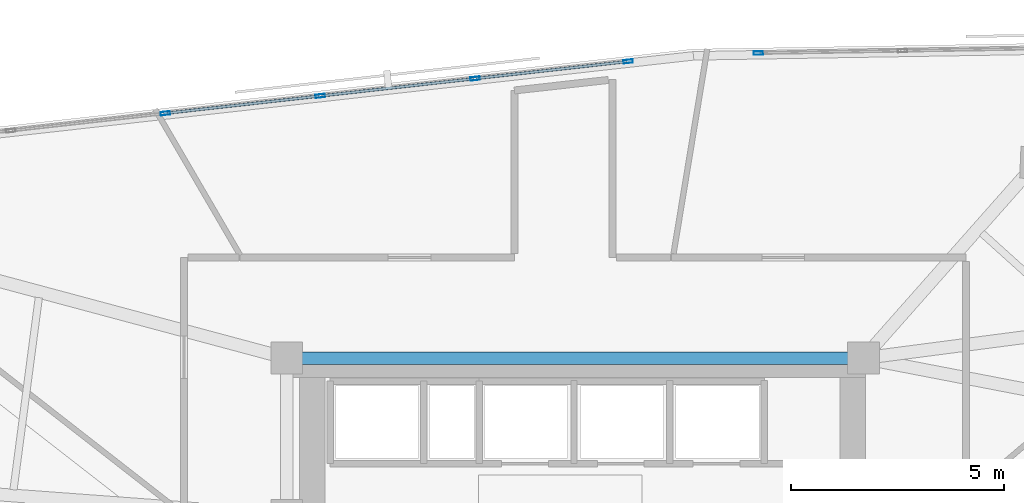
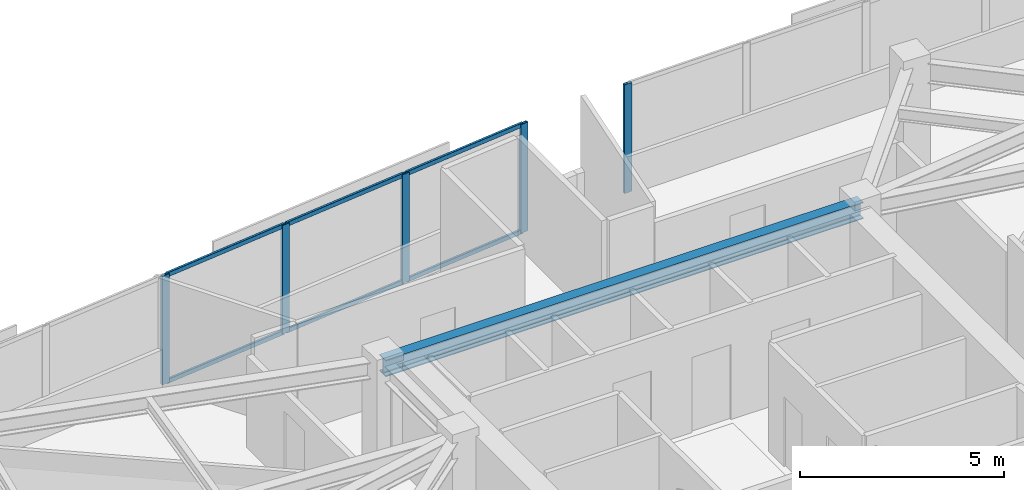
# One storey, part 3 of 13: 11 members, 1 beam, 2 elements without a shape of their own.
"""IFC4 building model written with IfcOpenShell, lengths in metres."""

import ifcopenshell
import ifcopenshell.guid

model = None  # the IFC model being written
_history = None  # IfcOwnerHistory: only IFC2X3 demands one
_inside = {}  # id of a spatial element -> (the spatial element, [elements in it])
_under = {}  # id of a project, library or spatial element -> (it, [spatial elements below it])
_declared = {}  # id of a project -> (the project, [libraries it declares])
_typed = {}  # id of a type object -> (the type object, [elements of that type])
_made_of = {}  # id of a material, layer set ... -> (it, [elements and type objects made of it])


def new_model(schema):
    """Start an empty IFC model of exactly this schema.

    Asked for "IFC4X3", IfcOpenShell would pick the latest addendum, in which some entities
    have other attributes; the version numbers below select the first issue.
    IFC2X3 requires an IfcOwnerHistory on every rooted entity: one is made here for all.
    """
    global model, _history
    if schema == "IFC4X3":
        model = ifcopenshell.file(schema_version=(4, 3, 0, 0))
    else:
        model = ifcopenshell.file(schema=schema)
    _inside.clear()
    _under.clear()
    _declared.clear()
    _typed.clear()
    _made_of.clear()
    _history = None
    if model.schema == "IFC2X3":
        org = make("IfcOrganization", Name="unknown")
        user = make(
            "IfcPersonAndOrganization",
            ThePerson=make("IfcPerson", FamilyName="unknown"),
            TheOrganization=org,
        )
        app = make(
            "IfcApplication",
            ApplicationDeveloper=org,
            Version="unknown",
            ApplicationFullName="unknown",
            ApplicationIdentifier="unknown",
        )
        _history = make(
            "IfcOwnerHistory",
            OwningUser=user,
            OwningApplication=app,
            ChangeAction="ADDED",
            CreationDate=0,
        )
    return model


def make(cls, **values):
    """One entity of the class cls with the attributes given. An attribute that is None is left unset."""
    return model.create_entity(
        cls, **{name: value for name, value in values.items() if value is not None}
    )


def rooted(cls, **values):
    """An entity with a GlobalId (a new one), such as an element, a storey or a relation."""
    return make(cls, GlobalId=ifcopenshell.guid.new(), OwnerHistory=_history, **values)


def si_unit(unit_type, name, prefix=None):
    """IfcSIUnit, for example si_unit("LENGTHUNIT", "METRE", prefix="MILLI")."""
    return make("IfcSIUnit", UnitType=unit_type, Prefix=prefix, Name=name)


def assignment(units):
    """IfcUnitAssignment: the units of a project."""
    return None if units is None else make("IfcUnitAssignment", Units=units)


def point(xyz):
    """IfcCartesianPoint."""
    return None if xyz is None else make("IfcCartesianPoint", Coordinates=xyz)


def direction(xyz):
    """IfcDirection."""
    return None if xyz is None else make("IfcDirection", DirectionRatios=xyz)


def frame(location, z_axis=None, x_axis=None):
    """IfcAxis2Placement3D, a coordinate frame: its origin and axes. An axis left out is left unset."""
    return make(
        "IfcAxis2Placement3D",
        Location=point(location),
        Axis=direction(z_axis),
        RefDirection=direction(x_axis),
    )


def frame_2d(location, x_axis=None):
    """IfcAxis2Placement2D, a coordinate frame in the plane: its origin and x axis."""
    return make(
        "IfcAxis2Placement2D", Location=point(location), RefDirection=direction(x_axis)
    )


def origin():
    """The frame at (0, 0, 0) with its axes left unset."""
    return frame((0.0, 0.0, 0.0))


def origin_2d():
    """The frame at (0, 0) in the plane with its x axis left unset."""
    return frame_2d((0.0, 0.0))


def place(relative_to, where):
    """IfcLocalPlacement: puts the frame where relative to a parent placement (None: the world)."""
    return make(
        "IfcLocalPlacement", PlacementRelTo=relative_to, RelativePlacement=where
    )


def context(
    kind, dimensions, precision=None, world=None, true_north=None, identifier=None
):
    """IfcGeometricRepresentationContext, for example the 3D "Model" context."""
    return make(
        "IfcGeometricRepresentationContext",
        ContextIdentifier=identifier,
        ContextType=kind,
        CoordinateSpaceDimension=dimensions,
        Precision=precision,
        WorldCoordinateSystem=world,
        TrueNorth=true_north,
    )


def subcontext(parent, identifier, kind, view, scale=None):
    """IfcGeometricRepresentationSubContext, for example "Body" below "Model"."""
    return make(
        "IfcGeometricRepresentationSubContext",
        ContextIdentifier=identifier,
        ContextType=kind,
        ParentContext=parent,
        TargetScale=scale,
        TargetView=view,
    )


def project(units=None, contexts=None):
    """IfcProject with its units and contexts."""
    return rooted(
        "IfcProject",
        Name="project",
        RepresentationContexts=contexts,
        UnitsInContext=assignment(units),
    )


def spatial(cls, under=None, at=None, **own):
    """A site, building, storey or space (cls), placed at a placement, below another one or the project."""
    s = rooted(cls, ObjectPlacement=at, **own)
    if under is not None:
        _under.setdefault(under.id(), (under, []))[1].append(s)
    return s


def profile(cls, at=None, kind="AREA", **sizes):
    """A parametric profile (cls). Its sizes go by their IFC names, for example OverallWidth=200.0."""
    return make(cls, ProfileType=kind, Position=at, **sizes)


def hollow_rectangle(**sizes):
    """IfcRectangleHollowProfileDef."""
    return profile("IfcRectangleHollowProfileDef", **sizes)


def i_section(**sizes):
    """IfcIShapeProfileDef."""
    return profile("IfcIShapeProfileDef", **sizes)


def extrude(swept, where, along, depth):
    """IfcExtrudedAreaSolid: the profile swept, set in the frame where, extruded along a direction by depth."""
    return make(
        "IfcExtrudedAreaSolid",
        SweptArea=swept,
        Position=where,
        ExtrudedDirection=direction(along),
        Depth=depth,
    )


def shape(context_of_items, identifier, shape_type, items):
    """IfcShapeRepresentation: the items that make up one representation, for example the "Body"."""
    return make(
        "IfcShapeRepresentation",
        ContextOfItems=context_of_items,
        RepresentationIdentifier=identifier,
        RepresentationType=shape_type,
        Items=items,
    )


def material(Name=None, Category=None):
    """IfcMaterial."""
    return make("IfcMaterial", Name=Name, Category=Category)


def material_profile(
    of_material, cross_section, Name=None, Category=None, Priority=None
):
    """IfcMaterialProfile: a cross section and its material."""
    return make(
        "IfcMaterialProfile",
        Name=Name,
        Material=of_material,
        Profile=cross_section,
        Priority=Priority,
        Category=Category,
    )


def profile_set(profiles, Name=None, composite=None):
    """IfcMaterialProfileSet."""
    return make(
        "IfcMaterialProfileSet",
        Name=Name,
        MaterialProfiles=profiles,
        CompositeProfile=composite,
    )


def made_of(thing, what):
    """Note that an element or type object is made of a material, layer set ...; save() writes the relation."""
    if what is not None:
        _made_of.setdefault(what.id(), (what, []))[1].append(thing)
    return thing


def type_object(cls, material=None, **own):
    """A type object (cls), such as IfcWallType, which elements share."""
    return made_of(rooted(cls, **own), material)


def element(
    cls,
    number,
    at=None,
    inside=None,
    cuts=None,
    type_object=None,
    material=None,
    context=None,
    identifier="Body",
    shape_type=None,
    held_by="IfcProductDefinitionShape",
    body=None,
    shapes=None,
    **own,
):
    """One element of the class cls, such as IfcWall. Its Tag is "e" and its number.

    at: its placement. inside: the storey or other place that contains it. cuts: it is an
    opening in that element (IfcRelVoidsElement). A single representation is given by context,
    identifier, shape_type and body (its items); several are given by shapes. held_by: the class
    of the entity that holds the representations. save() writes the other relations.
    """
    e = rooted(cls, Tag="e%d" % number, ObjectPlacement=at, **own)
    if body is not None:
        shapes = [shape(context, identifier, shape_type, body)]
    if shapes is not None:
        e.Representation = make(held_by, Representations=shapes)
    if inside is not None:
        _inside.setdefault(inside.id(), (inside, []))[1].append(e)
    if cuts is not None:
        rooted(
            "IfcRelVoidsElement", RelatingBuildingElement=cuts, RelatedOpeningElement=e
        )
    if type_object is not None:
        _typed.setdefault(type_object.id(), (type_object, []))[1].append(e)
    return made_of(e, material)


def aggregate(whole, parts):
    """IfcRelAggregates: a whole, such as a stair, and the parts it consists of."""
    return rooted("IfcRelAggregates", RelatingObject=whole, RelatedObjects=parts)


def save(model, path):
    """Write the relations noted so far, then the file.

    IfcRelAggregates (storeys below a building ...), IfcRelContainedInSpatialStructure (elements
    in a storey), IfcRelDefinesByType, IfcRelAssociatesMaterial and IfcRelDeclares: one each for
    every whole, place, type object, material and project.
    """
    for whole, parts in _under.values():
        aggregate(whole, parts)
    for where, things in _inside.values():
        rooted(
            "IfcRelContainedInSpatialStructure",
            RelatedElements=things,
            RelatingStructure=where,
        )
    for kind, things in _typed.values():
        rooted("IfcRelDefinesByType", RelatedObjects=things, RelatingType=kind)
    for what, things in _made_of.values():
        rooted("IfcRelAssociatesMaterial", RelatedObjects=things, RelatingMaterial=what)
    for by, libraries in _declared.values():
        rooted("IfcRelDeclares", RelatingContext=by, RelatedDefinitions=libraries)
    model.write(path)


model = new_model("IFC4")

# Units and contexts
model_context = context("Model", 3, precision=1e-05, world=origin(), true_north=direction((0.0, 1.0)))
body_context = subcontext(model_context, "Body", "Model", "MODEL_VIEW")
ifc_project = project(units=[si_unit("LENGTHUNIT", "METRE"), si_unit("AREAUNIT", "SQUARE_METRE"), si_unit("VOLUMEUNIT", "CUBIC_METRE"), si_unit("PLANEANGLEUNIT", "RADIAN"), si_unit("MASSUNIT", "GRAM", prefix="KILO")], contexts=[model_context])

# Site, building, storey
site_placement = place(None, origin())
site = spatial("IfcSite", under=ifc_project, at=site_placement, CompositionType="ELEMENT")
building_placement = place(site_placement, origin())
building = spatial("IfcBuilding", under=site, at=building_placement, Name="Narakoshi Arena Tower", CompositionType="ELEMENT")
storey_placement = place(building_placement, frame((0.0, 0.0, 278.340087890625)))
storey = spatial("IfcBuildingStorey", under=building, at=storey_placement, Name="L76", CompositionType="ELEMENT", Elevation=278.340087890625)

# Beam
ifc_material_1 = material(Name="Structural steel S355J2", Category="steel")
ifc_material_profile_1 = material_profile(ifc_material_1, i_section(OverallWidth=0.300048828125, OverallDepth=0.5, WebThickness=0.014404296875, FlangeThickness=0.028076171875, FilletRadius=0.027099609375, at=origin_2d()), Name="HE500B")
ifc_profile_set_1 = profile_set([ifc_material_profile_1], Name="Structural steel S355J2")
beam_type = type_object("IfcBeamType", Name="BM-PRI-500", PredefinedType="BEAM", material=ifc_profile_set_1)
beam_placement = place(storey_placement, frame((72.0, 56.5, 3.010009765625), z_axis=(1.0, 0.0, 0.0), x_axis=(0.0, 1.0, 0.0)))
element("IfcBeam", 1, at=beam_placement, inside=storey, type_object=beam_type, Name="L76 Core Perimeter Frame Beam CC5-CC6", PredefinedType="BEAM", context=body_context, shape_type="SweptSolid", body=[
    extrude(i_section(OverallWidth=0.300048828125, OverallDepth=0.5, WebThickness=0.014404296875, FlangeThickness=0.028076171875, FilletRadius=0.027099609375, at=origin_2d()), origin(), (0.0, 0.0, 1.0), 13.550048828125),
])

# Curtain wall, member
ifc_material_2 = material(Name="Anodised bronze aluminium 6063-T6", Category="aluminium")
curtain_wall_type = type_object("IfcCurtainWallType", Name="CW-HYP-HIGH", PredefinedType="NOTDEFINED", material=ifc_material_2)
curtain_wall_1_placement = place(storey_placement, origin())
curtain_wall_1 = element("IfcCurtainWall", 2, at=curtain_wall_1_placement, inside=storey, type_object=curtain_wall_type, Name="L76 Folded Hypotenuse Curtain Wall 1-1", PredefinedType="NOTDEFINED")
ifc_material_profile_2 = material_profile(ifc_material_2, hollow_rectangle(XDim=0.080078125, YDim=0.219970703125, WallThickness=0.0048828125, OuterFilletRadius=0.006103515625, at=origin_2d()), Name="MUL220x80x5")
ifc_profile_set_2 = profile_set([ifc_material_profile_2], Name="Anodised bronze aluminium 6063-T6")
member_type_1 = type_object("IfcMemberType", Name="MEM-MUL-220", PredefinedType="MULLION", material=ifc_profile_set_2)
member_1_placement = place(storey_placement, frame((83.08056640625, 63.668212890625, 0.0), z_axis=(0.0, 0.0, 1.0), x_axis=(0.016442997569, -0.999864804777, 0.0)))
member_1 = element("IfcMember", 3, at=member_1_placement, type_object=member_type_1, Name="CW-03 mullion 9", PredefinedType="MULLION", context=body_context, shape_type="SweptSolid", body=[
    extrude(hollow_rectangle(XDim=0.080078125, YDim=0.219970703125, WallThickness=0.0048828125, OuterFilletRadius=0.006103515625, at=origin_2d()), origin(), (0.0, 0.0, 1.0), 3.260009765625),
])
aggregate(curtain_wall_1, [member_1])

# Curtain wall, members
curtain_wall_2_placement = place(storey_placement, origin())
curtain_wall_2 = element("IfcCurtainWall", 4, at=curtain_wall_2_placement, inside=storey, type_object=curtain_wall_type, Name="L76 Folded Hypotenuse Curtain Wall 2-1", PredefinedType="NOTDEFINED")
member_2_placement = place(storey_placement, frame((80.021728515625, 63.471923828125, 0.0), z_axis=(0.0, 0.0, 1.0), x_axis=(0.111396496086, -0.9937760415, 0.0)))
member_2 = element("IfcMember", 5, at=member_2_placement, type_object=member_type_1, Name="CW-03 mullion 1", PredefinedType="MULLION", context=body_context, shape_type="SweptSolid", body=[
    extrude(hollow_rectangle(XDim=0.080078125, YDim=0.219970703125, WallThickness=0.0048828125, OuterFilletRadius=0.006103515625, at=origin_2d()), origin(), (0.0, 0.0, 1.0), 3.260009765625),
])
member_3_placement = place(storey_placement, frame((76.423828125, 63.06884765625, 0.0), z_axis=(0.0, 0.0, 1.0), x_axis=(0.111396496086, -0.9937760415, 0.0)))
member_3 = element("IfcMember", 6, at=member_3_placement, type_object=member_type_1, Name="CW-03 mullion 2", PredefinedType="MULLION", context=body_context, shape_type="SweptSolid", body=[
    extrude(hollow_rectangle(XDim=0.080078125, YDim=0.219970703125, WallThickness=0.0048828125, OuterFilletRadius=0.006103515625, at=origin_2d()), origin(), (0.0, 0.0, 1.0), 3.260009765625),
])
member_4_placement = place(storey_placement, frame((72.786376953125, 62.660888671875, 0.0), z_axis=(0.0, 0.0, 1.0), x_axis=(0.111396496086, -0.9937760415, 0.0)))
member_4 = element("IfcMember", 7, at=member_4_placement, type_object=member_type_1, Name="CW-03 mullion 3", PredefinedType="MULLION", context=body_context, shape_type="SweptSolid", body=[
    extrude(hollow_rectangle(XDim=0.080078125, YDim=0.219970703125, WallThickness=0.0048828125, OuterFilletRadius=0.006103515625, at=origin_2d()), origin(), (0.0, 0.0, 1.0), 3.260009765625),
])
member_5_placement = place(storey_placement, frame((69.148681640625, 62.253173828125, 0.0), z_axis=(0.0, 0.0, 1.0), x_axis=(0.111396496086, -0.9937760415, 0.0)))
member_5 = element("IfcMember", 8, at=member_5_placement, type_object=member_type_1, Name="CW-03 mullion 4", PredefinedType="MULLION", context=body_context, shape_type="SweptSolid", body=[
    extrude(hollow_rectangle(XDim=0.080078125, YDim=0.219970703125, WallThickness=0.0048828125, OuterFilletRadius=0.006103515625, at=origin_2d()), origin(), (0.0, 0.0, 1.0), 3.260009765625),
])
ifc_material_profile_3 = material_profile(ifc_material_2, hollow_rectangle(XDim=0.06494140625, YDim=0.1298828125, WallThickness=0.00390625, OuterFilletRadius=0.0048828125, at=origin_2d()), Name="TRN130x65x4")
ifc_profile_set_3 = profile_set([ifc_material_profile_3], Name="Anodised bronze aluminium 6063-T6")
member_type_2 = type_object("IfcMemberType", Name="MEM-TRN-130", PredefinedType="USERDEFINED", material=ifc_profile_set_3)
member_6_placement = place(storey_placement, frame((79.98193359375, 63.467529296875, 0.032470703125), z_axis=(-0.993779010945, -0.111370002267, 0.0), x_axis=(0.111370002267, -0.993779010945, 0.0)))
member_6 = element("IfcMember", 9, at=member_6_placement, type_object=member_type_2, Name="CW-03 transom 1.1", ObjectType="TRANSOM", PredefinedType="USERDEFINED", context=body_context, shape_type="SweptSolid", body=[
    extrude(hollow_rectangle(XDim=0.06494140625, YDim=0.1298828125, WallThickness=0.00390625, OuterFilletRadius=0.0048828125, at=origin_2d()), origin(), (0.0, 0.0, 1.0), 3.540283203125),
])
member_7_placement = place(storey_placement, frame((79.98193359375, 63.467529296875, 3.227294921875), z_axis=(-0.993779010945, -0.111370002267, 0.0), x_axis=(0.111370002267, -0.993779010945, 0.0)))
member_7 = element("IfcMember", 10, at=member_7_placement, type_object=member_type_2, Name="CW-03 transom 1.2", ObjectType="TRANSOM", PredefinedType="USERDEFINED", context=body_context, shape_type="SweptSolid", body=[
    extrude(hollow_rectangle(XDim=0.06494140625, YDim=0.1298828125, WallThickness=0.00390625, OuterFilletRadius=0.0048828125, at=origin_2d()), origin(), (0.0, 0.0, 1.0), 3.540283203125),
])
member_8_placement = place(storey_placement, frame((76.38427734375, 63.064208984375, 0.032470703125), z_axis=(-0.993781025425, -0.111352025149, 0.0), x_axis=(0.111352025149, -0.993781025425, 0.0)))
member_8 = element("IfcMember", 11, at=member_8_placement, type_object=member_type_2, Name="CW-03 transom 2.1", ObjectType="TRANSOM", PredefinedType="USERDEFINED", context=body_context, shape_type="SweptSolid", body=[
    extrude(hollow_rectangle(XDim=0.06494140625, YDim=0.1298828125, WallThickness=0.00390625, OuterFilletRadius=0.0048828125, at=origin_2d()), origin(), (0.0, 0.0, 1.0), 3.580322265625),
])
member_9_placement = place(storey_placement, frame((76.38427734375, 63.064208984375, 3.227294921875), z_axis=(-0.993781025425, -0.111352025149, 0.0), x_axis=(0.111352025149, -0.993781025425, 0.0)))
member_9 = element("IfcMember", 12, at=member_9_placement, type_object=member_type_2, Name="CW-03 transom 2.2", ObjectType="TRANSOM", PredefinedType="USERDEFINED", context=body_context, shape_type="SweptSolid", body=[
    extrude(hollow_rectangle(XDim=0.06494140625, YDim=0.1298828125, WallThickness=0.00390625, OuterFilletRadius=0.0048828125, at=origin_2d()), origin(), (0.0, 0.0, 1.0), 3.580322265625),
])
member_10_placement = place(storey_placement, frame((72.74658203125, 62.656494140625, 0.032470703125), z_axis=(-0.993781025425, -0.111352025149, 0.0), x_axis=(0.111352025149, -0.993781025425, 0.0)))
member_10 = element("IfcMember", 13, at=member_10_placement, type_object=member_type_2, Name="CW-03 transom 3.1", ObjectType="TRANSOM", PredefinedType="USERDEFINED", context=body_context, shape_type="SweptSolid", body=[
    extrude(hollow_rectangle(XDim=0.06494140625, YDim=0.1298828125, WallThickness=0.00390625, OuterFilletRadius=0.0048828125, at=origin_2d()), origin(), (0.0, 0.0, 1.0), 3.580322265625),
])
member_11_placement = place(storey_placement, frame((72.74658203125, 62.656494140625, 3.227294921875), z_axis=(-0.993781025425, -0.111352025149, 0.0), x_axis=(0.111352025149, -0.993781025425, 0.0)))
member_11 = element("IfcMember", 14, at=member_11_placement, type_object=member_type_2, Name="CW-03 transom 3.2", ObjectType="TRANSOM", PredefinedType="USERDEFINED", context=body_context, shape_type="SweptSolid", body=[
    extrude(hollow_rectangle(XDim=0.06494140625, YDim=0.1298828125, WallThickness=0.00390625, OuterFilletRadius=0.0048828125, at=origin_2d()), origin(), (0.0, 0.0, 1.0), 3.580322265625),
])
aggregate(curtain_wall_2, [member_2, member_3, member_4, member_5, member_6, member_7, member_8, member_9, member_10, member_11])

save(model, "model.ifc")
